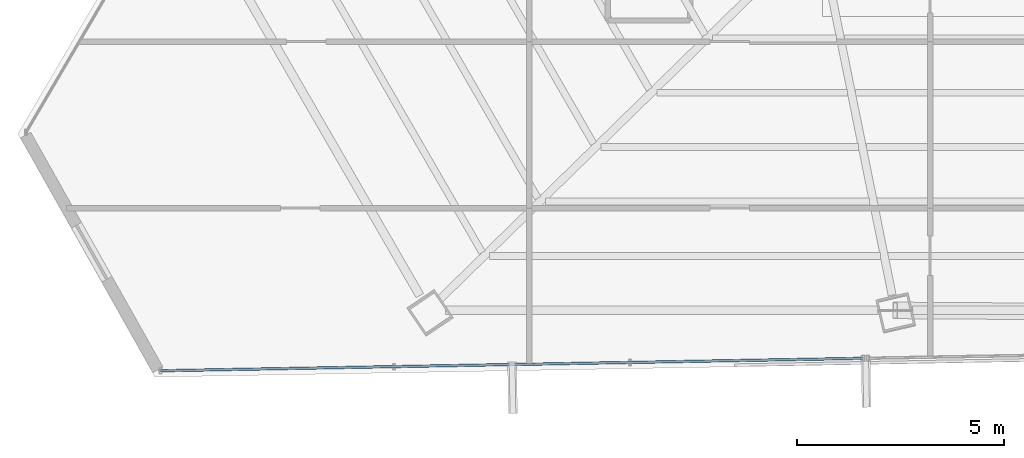
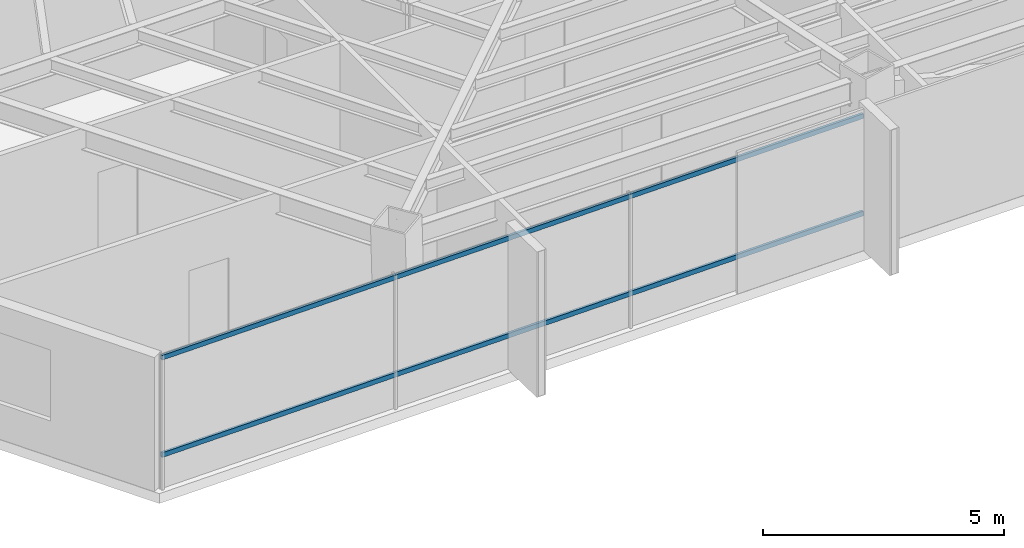
# One storey, part 5 of 42: 2 members, 1 element without a shape of its own.
"""IFC4 building model written with IfcOpenShell, lengths in metres."""

from ifc_helpers import new_model, si_unit, direction, frame, origin, origin_2d, place, context, subcontext, project, spatial, hollow_rectangle, extrude, source, transform, mapped, material, material_profile, profile_set, type_object, type_shapes, element, aggregate, save


model = new_model("IFC4")

# Units and contexts
model_context = context("Model", 3, precision=1e-05, world=origin(), true_north=direction((0.0, 1.0)))
body_context = subcontext(model_context, "Body", "Model", "MODEL_VIEW")
ifc_project = project(units=[si_unit("LENGTHUNIT", "METRE"), si_unit("AREAUNIT", "SQUARE_METRE"), si_unit("VOLUMEUNIT", "CUBIC_METRE"), si_unit("PLANEANGLEUNIT", "RADIAN"), si_unit("MASSUNIT", "GRAM", prefix="KILO")], contexts=[model_context])

# Site, building, storey
site_placement = place(None, origin())
site = spatial("IfcSite", under=ifc_project, at=site_placement, CompositionType="ELEMENT")
building_placement = place(site_placement, origin())
building = spatial("IfcBuilding", under=site, at=building_placement, Name="Caelisora Broadcast Tower", CompositionType="ELEMENT")
storey_placement = place(building_placement, frame((0.0, 0.0, 195.0)))
storey = spatial("IfcBuildingStorey", under=building, at=storey_placement, Name="L51", CompositionType="ELEMENT", Elevation=195.0)

# Curtain wall, members
ifc_material_1 = material(Name="Unitised Aluminium and Low-E Glass Curtain Wall", Category="glass")
curtain_wall_type = type_object("IfcCurtainWallType", Name="CW-Z4", PredefinedType="NOTDEFINED", material=ifc_material_1)
curtain_wall_placement = place(storey_placement, origin())
curtain_wall = element("IfcCurtainWall", 1, at=curtain_wall_placement, inside=storey, type_object=curtain_wall_type, Name="L51 curtain wall CW-Z4", PredefinedType="NOTDEFINED")
ifc_material_2 = material(Name="Aluminium 6063-T6 Anodised Terracotta Bronze", Category="aluminium")
ifc_material_profile = material_profile(ifc_material_2, hollow_rectangle(XDim=0.06005859375, YDim=0.1201171875, WallThickness=0.0029296875, at=origin_2d()), Name="Aluminium 6063-T6 Anodised Terracotta Bronze")
ifc_profile_set = profile_set([ifc_material_profile], Name="Aluminium 6063-T6 Anodised Terracotta Bronze")
member_type = type_object("IfcMemberType", Name="CWT-03", PredefinedType="USERDEFINED", material=ifc_profile_set)
shared_shape = source(origin(), body_context, "Body", "SweptSolid", [
    extrude(hollow_rectangle(XDim=0.06005859375, YDim=0.1201171875, WallThickness=0.0029296875, at=origin_2d()), origin(), (0.0, 0.0, 1.0), 17.001953125),
])
type_shapes(member_type, [shared_shape])
member_1_placement = place(storey_placement, frame((31.585205078125, 7.029052734375, 0.85009765625), z_axis=(-0.999842993469, -0.017719718134, 0.0), x_axis=(0.017719718134, -0.999842993469, 0.0)))
member_1 = element("IfcMember", 2, at=member_1_placement, type_object=member_type, Name="L51-CW-B07 transom #1", ObjectType="TRANSOM", PredefinedType="USERDEFINED", context=body_context, shape_type="MappedRepresentation", body=[
    mapped(shared_shape, transform((0.0, 0.0, 0.0), scale=1.0)),
])
member_2_placement = place(storey_placement, frame((31.585205078125, 7.029052734375, 3.320068359375), z_axis=(-0.999842993469, -0.017719718134, 0.0), x_axis=(0.017719718134, -0.999842993469, 0.0)))
member_2 = element("IfcMember", 3, at=member_2_placement, type_object=member_type, Name="L51-CW-B07 transom #2", ObjectType="TRANSOM", PredefinedType="USERDEFINED", context=body_context, shape_type="MappedRepresentation", body=[
    mapped(shared_shape, transform((0.0, 0.0, 0.0), scale=1.0)),
])
aggregate(curtain_wall, [member_1, member_2])

save(model, "model.ifc")
